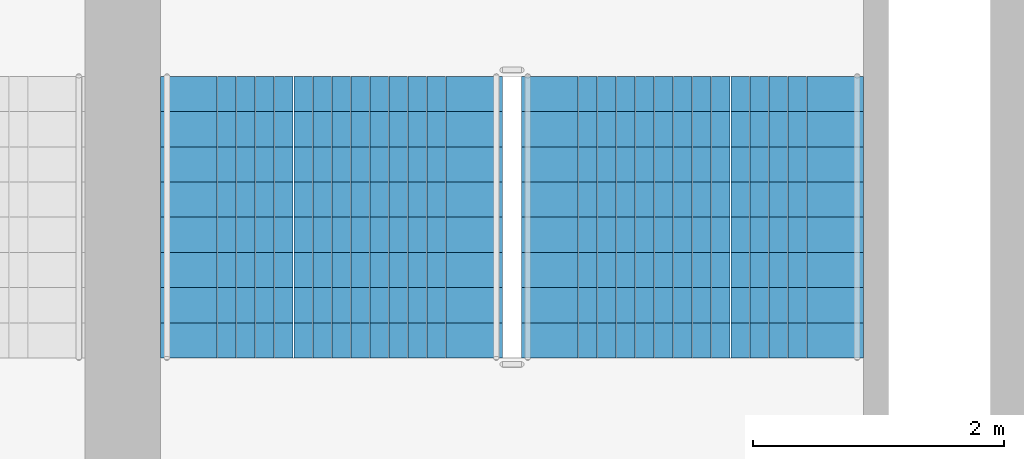
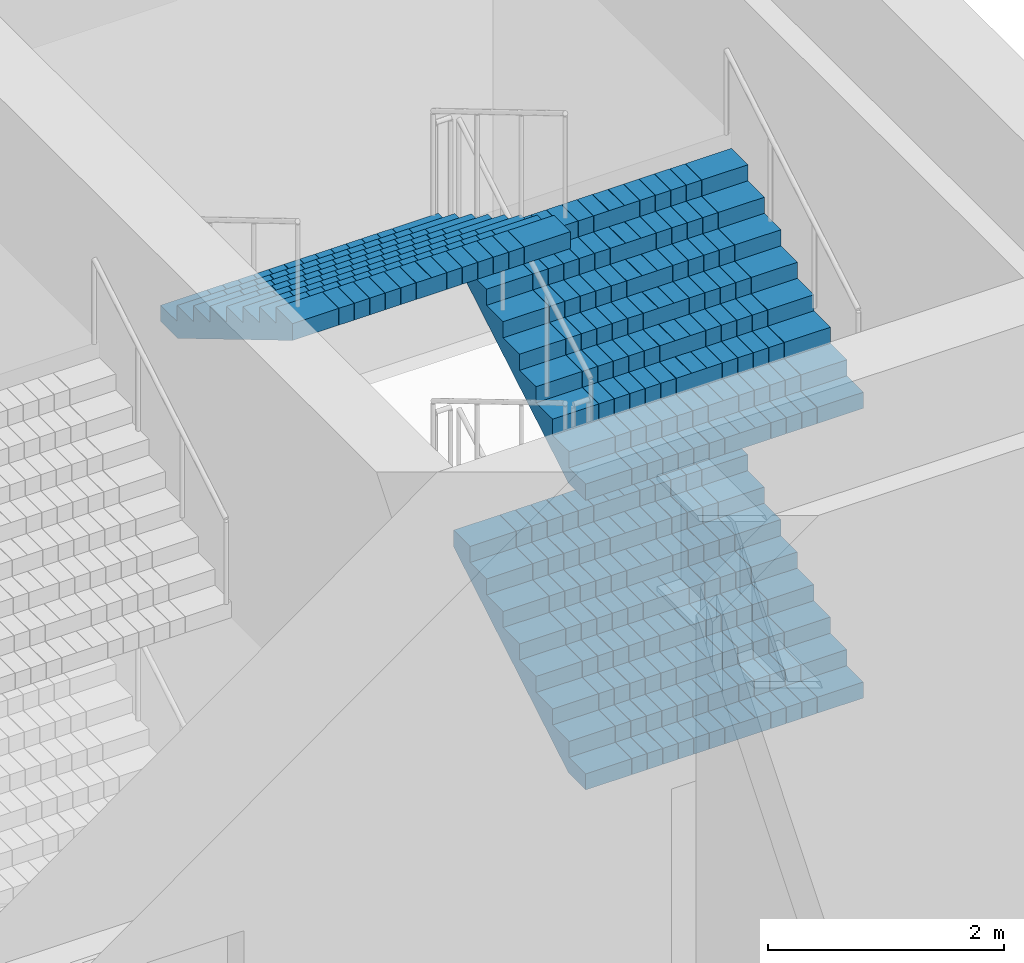
# One storey, part 36 of 43: 3 stair flights, 1 element without a shape of its own.
"""IFC4 building model written with IfcOpenShell, lengths in metres."""

from ifc_helpers import new_model, si_unit, direction, frame, origin, place, context, subcontext, project, spatial, polyline, outline, extrude, material, type_object, element, aggregate, save


model = new_model("IFC4")

# Units and contexts
model_context = context("Model", 3, precision=1e-05, world=origin(), true_north=direction((0.0, 1.0)))
body_context = subcontext(model_context, "Body", "Model", "MODEL_VIEW")
ifc_project = project(units=[si_unit("LENGTHUNIT", "METRE"), si_unit("AREAUNIT", "SQUARE_METRE"), si_unit("VOLUMEUNIT", "CUBIC_METRE"), si_unit("PLANEANGLEUNIT", "RADIAN"), si_unit("MASSUNIT", "GRAM", prefix="KILO")], contexts=[model_context])

# Site, building, storey
site_placement = place(None, origin())
site = spatial("IfcSite", under=ifc_project, at=site_placement, CompositionType="ELEMENT")
building_placement = place(site_placement, origin())
building = spatial("IfcBuilding", under=site, at=building_placement, Name="Corbelhall Arena Tower", CompositionType="ELEMENT")
storey_placement = place(building_placement, frame((0.0, 0.0, 25.0)))
storey = spatial("IfcBuildingStorey", under=building, at=storey_placement, Name="L03", CompositionType="ELEMENT", Elevation=25.0)

# Stair, stair flights
ifc_material = material(Name="Reinforced concrete C40/50", Category="concrete")
stair_type = type_object("IfcStairType", Name="AR-EXIT-STAIR", PredefinedType="HALF_TURN_STAIR", material=ifc_material)
stair_placement = place(storey_placement, origin())
stair = element("IfcStair", 1, at=stair_placement, inside=storey, type_object=stair_type, Name="L03 exit stair AS2", PredefinedType="HALF_TURN_STAIR")
stair_flight_type = type_object("IfcStairFlightType", Name="AR-EXIT-FLIGHT", PredefinedType="STRAIGHT", material=ifc_material)
stair_flight_1_placement = place(storey_placement, frame((45.030029296875, 27.320068359375, 0.0), z_axis=(0.0, 0.0, 1.0), x_axis=(0.0, 1.0, 0.0)))
stair_flight_1 = element("IfcStairFlight", 2, at=stair_flight_1_placement, type_object=stair_flight_type, Name="AS2 flight 1", NumberOfRisers=9, NumberOfTreads=8, PredefinedType="STRAIGHT", RiserHeight=0.166666667, TreadLength=0.28, context=body_context, shape_type="SweptSolid", body=[
    extrude(outline(polyline([(0.0, 0.0), (0.0, 0.166748046875), (0.280029296875, 0.166748046875), (0.280029296875, 0.333251953125), (0.56005859375, 0.333251953125), (0.56005859375, 0.5), (0.840087890625, 0.5), (0.840087890625, 0.666748046875), (1.1201171875, 0.666748046875), (1.1201171875, 0.833251953125), (1.39990234375, 0.833251953125), (1.39990234375, 1.0), (1.679931640625, 1.0), (1.679931640625, 1.166748046875), (1.9599609375, 1.166748046875), (1.9599609375, 1.333251953125), (2.239990234375, 1.333251953125), (2.239990234375, 1.5), (2.239990234375, 1.158935546875), (0.29296875, 0.0), (0.0, 0.0)])), frame((0.0, 1.35986328125, 0.0), z_axis=(0.0, -1.0, 0.0), x_axis=(1.0, 0.0, 0.0)), (0.0, 0.0, 1.0), 0.449951171875),
    extrude(outline(polyline([(0.0, 0.0), (0.0, 0.166748046875), (0.280029296875, 0.166748046875), (0.280029296875, 0.333251953125), (0.56005859375, 0.333251953125), (0.56005859375, 0.5), (0.840087890625, 0.5), (0.840087890625, 0.666748046875), (1.1201171875, 0.666748046875), (1.1201171875, 0.833251953125), (1.39990234375, 0.833251953125), (1.39990234375, 1.0), (1.679931640625, 1.0), (1.679931640625, 1.166748046875), (1.9599609375, 1.166748046875), (1.9599609375, 1.333251953125), (2.239990234375, 1.333251953125), (2.239990234375, 1.5), (2.239990234375, 1.158935546875), (0.29296875, 0.0), (0.0, 0.0)])), frame((0.0, 0.906005859375, 0.0), z_axis=(0.0, -1.0, 0.0), x_axis=(1.0, 0.0, 0.0)), (0.0, 0.0, 1.0), 0.147216796875),
    extrude(outline(polyline([(0.0, 0.0), (0.0, 0.166748046875), (0.280029296875, 0.166748046875), (0.280029296875, 0.333251953125), (0.56005859375, 0.333251953125), (0.56005859375, 0.5), (0.840087890625, 0.5), (0.840087890625, 0.666748046875), (1.1201171875, 0.666748046875), (1.1201171875, 0.833251953125), (1.39990234375, 0.833251953125), (1.39990234375, 1.0), (1.679931640625, 1.0), (1.679931640625, 1.166748046875), (1.9599609375, 1.166748046875), (1.9599609375, 1.333251953125), (2.239990234375, 1.333251953125), (2.239990234375, 1.5), (2.239990234375, 1.158935546875), (0.29296875, 0.0), (0.0, 0.0)])), frame((0.0, 0.754638671875, 0.0), z_axis=(0.0, -1.0, 0.0), x_axis=(1.0, 0.0, 0.0)), (0.0, 0.0, 1.0), 0.147216796875),
    extrude(outline(polyline([(0.0, 0.0), (0.0, 0.166748046875), (0.280029296875, 0.166748046875), (0.280029296875, 0.333251953125), (0.56005859375, 0.333251953125), (0.56005859375, 0.5), (0.840087890625, 0.5), (0.840087890625, 0.666748046875), (1.1201171875, 0.666748046875), (1.1201171875, 0.833251953125), (1.39990234375, 0.833251953125), (1.39990234375, 1.0), (1.679931640625, 1.0), (1.679931640625, 1.166748046875), (1.9599609375, 1.166748046875), (1.9599609375, 1.333251953125), (2.239990234375, 1.333251953125), (2.239990234375, 1.5), (2.239990234375, 1.158935546875), (0.29296875, 0.0), (0.0, 0.0)])), frame((0.0, 0.603271484375, 0.0), z_axis=(0.0, -1.0, 0.0), x_axis=(1.0, 0.0, 0.0)), (0.0, 0.0, 1.0), 0.147216796875),
    extrude(outline(polyline([(0.0, 0.0), (0.0, 0.166748046875), (0.280029296875, 0.166748046875), (0.280029296875, 0.333251953125), (0.56005859375, 0.333251953125), (0.56005859375, 0.5), (0.840087890625, 0.5), (0.840087890625, 0.666748046875), (1.1201171875, 0.666748046875), (1.1201171875, 0.833251953125), (1.39990234375, 0.833251953125), (1.39990234375, 1.0), (1.679931640625, 1.0), (1.679931640625, 1.166748046875), (1.9599609375, 1.166748046875), (1.9599609375, 1.333251953125), (2.239990234375, 1.333251953125), (2.239990234375, 1.5), (2.239990234375, 1.158935546875), (0.29296875, 0.0), (0.0, 0.0)])), frame((0.0, 0.451904296875, 0.0), z_axis=(0.0, -1.0, 0.0), x_axis=(1.0, 0.0, 0.0)), (0.0, 0.0, 1.0), 0.147216796875),
    extrude(outline(polyline([(0.0, 0.0), (0.0, 0.166748046875), (0.280029296875, 0.166748046875), (0.280029296875, 0.333251953125), (0.56005859375, 0.333251953125), (0.56005859375, 0.5), (0.840087890625, 0.5), (0.840087890625, 0.666748046875), (1.1201171875, 0.666748046875), (1.1201171875, 0.833251953125), (1.39990234375, 0.833251953125), (1.39990234375, 1.0), (1.679931640625, 1.0), (1.679931640625, 1.166748046875), (1.9599609375, 1.166748046875), (1.9599609375, 1.333251953125), (2.239990234375, 1.333251953125), (2.239990234375, 1.5), (2.239990234375, 1.158935546875), (0.29296875, 0.0), (0.0, 0.0)])), frame((0.0, 0.30078125, 0.0), z_axis=(0.0, -1.0, 0.0), x_axis=(1.0, 0.0, 0.0)), (0.0, 0.0, 1.0), 0.147216796875),
    extrude(outline(polyline([(0.0, 0.0), (0.0, 0.166748046875), (0.280029296875, 0.166748046875), (0.280029296875, 0.333251953125), (0.56005859375, 0.333251953125), (0.56005859375, 0.5), (0.840087890625, 0.5), (0.840087890625, 0.666748046875), (1.1201171875, 0.666748046875), (1.1201171875, 0.833251953125), (1.39990234375, 0.833251953125), (1.39990234375, 1.0), (1.679931640625, 1.0), (1.679931640625, 1.166748046875), (1.9599609375, 1.166748046875), (1.9599609375, 1.333251953125), (2.239990234375, 1.333251953125), (2.239990234375, 1.5), (2.239990234375, 1.158935546875), (0.29296875, 0.0), (0.0, 0.0)])), frame((0.0, 0.1494140625, 0.0), z_axis=(0.0, -1.0, 0.0), x_axis=(1.0, 0.0, 0.0)), (0.0, 0.0, 1.0), 0.147216796875),
    extrude(outline(polyline([(0.0, 0.0), (0.0, 0.166748046875), (0.280029296875, 0.166748046875), (0.280029296875, 0.333251953125), (0.56005859375, 0.333251953125), (0.56005859375, 0.5), (0.840087890625, 0.5), (0.840087890625, 0.666748046875), (1.1201171875, 0.666748046875), (1.1201171875, 0.833251953125), (1.39990234375, 0.833251953125), (1.39990234375, 1.0), (1.679931640625, 1.0), (1.679931640625, 1.166748046875), (1.9599609375, 1.166748046875), (1.9599609375, 1.333251953125), (2.239990234375, 1.333251953125), (2.239990234375, 1.5), (2.239990234375, 1.158935546875), (0.29296875, 0.0), (0.0, 0.0)])), frame((0.0, -0.001953125, 0.0), z_axis=(0.0, -1.0, 0.0), x_axis=(1.0, 0.0, 0.0)), (0.0, 0.0, 1.0), 0.147216796875),
    extrude(outline(polyline([(0.0, 0.0), (0.0, 0.166748046875), (0.280029296875, 0.166748046875), (0.280029296875, 0.333251953125), (0.56005859375, 0.333251953125), (0.56005859375, 0.5), (0.840087890625, 0.5), (0.840087890625, 0.666748046875), (1.1201171875, 0.666748046875), (1.1201171875, 0.833251953125), (1.39990234375, 0.833251953125), (1.39990234375, 1.0), (1.679931640625, 1.0), (1.679931640625, 1.166748046875), (1.9599609375, 1.166748046875), (1.9599609375, 1.333251953125), (2.239990234375, 1.333251953125), (2.239990234375, 1.5), (2.239990234375, 1.158935546875), (0.29296875, 0.0), (0.0, 0.0)])), frame((0.0, -0.1533203125, 0.0), z_axis=(0.0, -1.0, 0.0), x_axis=(1.0, 0.0, 0.0)), (0.0, 0.0, 1.0), 0.147216796875),
    extrude(outline(polyline([(0.0, 0.0), (0.0, 0.166748046875), (0.280029296875, 0.166748046875), (0.280029296875, 0.333251953125), (0.56005859375, 0.333251953125), (0.56005859375, 0.5), (0.840087890625, 0.5), (0.840087890625, 0.666748046875), (1.1201171875, 0.666748046875), (1.1201171875, 0.833251953125), (1.39990234375, 0.833251953125), (1.39990234375, 1.0), (1.679931640625, 1.0), (1.679931640625, 1.166748046875), (1.9599609375, 1.166748046875), (1.9599609375, 1.333251953125), (2.239990234375, 1.333251953125), (2.239990234375, 1.5), (2.239990234375, 1.158935546875), (0.29296875, 0.0), (0.0, 0.0)])), frame((0.0, -0.3046875, 0.0), z_axis=(0.0, -1.0, 0.0), x_axis=(1.0, 0.0, 0.0)), (0.0, 0.0, 1.0), 0.147216796875),
    extrude(outline(polyline([(0.0, 0.0), (0.0, 0.166748046875), (0.280029296875, 0.166748046875), (0.280029296875, 0.333251953125), (0.56005859375, 0.333251953125), (0.56005859375, 0.5), (0.840087890625, 0.5), (0.840087890625, 0.666748046875), (1.1201171875, 0.666748046875), (1.1201171875, 0.833251953125), (1.39990234375, 0.833251953125), (1.39990234375, 1.0), (1.679931640625, 1.0), (1.679931640625, 1.166748046875), (1.9599609375, 1.166748046875), (1.9599609375, 1.333251953125), (2.239990234375, 1.333251953125), (2.239990234375, 1.5), (2.239990234375, 1.158935546875), (0.29296875, 0.0), (0.0, 0.0)])), frame((0.0, -0.4560546875, 0.0), z_axis=(0.0, -1.0, 0.0), x_axis=(1.0, 0.0, 0.0)), (0.0, 0.0, 1.0), 0.147216796875),
    extrude(outline(polyline([(0.0, 0.0), (0.0, 0.166748046875), (0.280029296875, 0.166748046875), (0.280029296875, 0.333251953125), (0.56005859375, 0.333251953125), (0.56005859375, 0.5), (0.840087890625, 0.5), (0.840087890625, 0.666748046875), (1.1201171875, 0.666748046875), (1.1201171875, 0.833251953125), (1.39990234375, 0.833251953125), (1.39990234375, 1.0), (1.679931640625, 1.0), (1.679931640625, 1.166748046875), (1.9599609375, 1.166748046875), (1.9599609375, 1.333251953125), (2.239990234375, 1.333251953125), (2.239990234375, 1.5), (2.239990234375, 1.158935546875), (0.29296875, 0.0), (0.0, 0.0)])), frame((0.0, -0.607421875, 0.0), z_axis=(0.0, -1.0, 0.0), x_axis=(1.0, 0.0, 0.0)), (0.0, 0.0, 1.0), 0.147216796875),
    extrude(outline(polyline([(0.0, 0.0), (0.0, 0.166748046875), (0.280029296875, 0.166748046875), (0.280029296875, 0.333251953125), (0.56005859375, 0.333251953125), (0.56005859375, 0.5), (0.840087890625, 0.5), (0.840087890625, 0.666748046875), (1.1201171875, 0.666748046875), (1.1201171875, 0.833251953125), (1.39990234375, 0.833251953125), (1.39990234375, 1.0), (1.679931640625, 1.0), (1.679931640625, 1.166748046875), (1.9599609375, 1.166748046875), (1.9599609375, 1.333251953125), (2.239990234375, 1.333251953125), (2.239990234375, 1.5), (2.239990234375, 1.158935546875), (0.29296875, 0.0), (0.0, 0.0)])), frame((0.0, -0.758544921875, 0.0), z_axis=(0.0, -1.0, 0.0), x_axis=(1.0, 0.0, 0.0)), (0.0, 0.0, 1.0), 0.147216796875),
    extrude(outline(polyline([(0.0, 0.0), (0.0, 0.166748046875), (0.280029296875, 0.166748046875), (0.280029296875, 0.333251953125), (0.56005859375, 0.333251953125), (0.56005859375, 0.5), (0.840087890625, 0.5), (0.840087890625, 0.666748046875), (1.1201171875, 0.666748046875), (1.1201171875, 0.833251953125), (1.39990234375, 0.833251953125), (1.39990234375, 1.0), (1.679931640625, 1.0), (1.679931640625, 1.166748046875), (1.9599609375, 1.166748046875), (1.9599609375, 1.333251953125), (2.239990234375, 1.333251953125), (2.239990234375, 1.5), (2.239990234375, 1.158935546875), (0.29296875, 0.0), (0.0, 0.0)])), frame((0.0, -0.909912109375, 0.0), z_axis=(0.0, -1.0, 0.0), x_axis=(1.0, 0.0, 0.0)), (0.0, 0.0, 1.0), 0.449951171875),
])
stair_flight_2_placement = place(storey_placement, frame((45.030029296875, 27.320068359375, 3.0), z_axis=(0.0, 0.0, 1.0), x_axis=(0.0, 1.0, 0.0)))
stair_flight_2 = element("IfcStairFlight", 3, at=stair_flight_2_placement, type_object=stair_flight_type, Name="AS2 flight 3", NumberOfRisers=9, NumberOfTreads=8, PredefinedType="STRAIGHT", RiserHeight=0.166666667, TreadLength=0.28, context=body_context, shape_type="SweptSolid", body=[
    extrude(outline(polyline([(0.0, 0.0), (0.0, 0.166748046875), (0.280029296875, 0.166748046875), (0.280029296875, 0.333251953125), (0.56005859375, 0.333251953125), (0.56005859375, 0.5), (0.840087890625, 0.5), (0.840087890625, 0.666748046875), (1.1201171875, 0.666748046875), (1.1201171875, 0.833251953125), (1.39990234375, 0.833251953125), (1.39990234375, 1.0), (1.679931640625, 1.0), (1.679931640625, 1.166748046875), (1.9599609375, 1.166748046875), (1.9599609375, 1.333251953125), (2.239990234375, 1.333251953125), (2.239990234375, 1.5), (2.239990234375, 1.158935546875), (0.29296875, 0.0), (0.0, 0.0)])), frame((0.0, 1.35986328125, 0.0), z_axis=(0.0, -1.0, 0.0), x_axis=(1.0, 0.0, 0.0)), (0.0, 0.0, 1.0), 0.449951171875),
    extrude(outline(polyline([(0.0, 0.0), (0.0, 0.166748046875), (0.280029296875, 0.166748046875), (0.280029296875, 0.333251953125), (0.56005859375, 0.333251953125), (0.56005859375, 0.5), (0.840087890625, 0.5), (0.840087890625, 0.666748046875), (1.1201171875, 0.666748046875), (1.1201171875, 0.833251953125), (1.39990234375, 0.833251953125), (1.39990234375, 1.0), (1.679931640625, 1.0), (1.679931640625, 1.166748046875), (1.9599609375, 1.166748046875), (1.9599609375, 1.333251953125), (2.239990234375, 1.333251953125), (2.239990234375, 1.5), (2.239990234375, 1.158935546875), (0.29296875, 0.0), (0.0, 0.0)])), frame((0.0, 0.906005859375, 0.0), z_axis=(0.0, -1.0, 0.0), x_axis=(1.0, 0.0, 0.0)), (0.0, 0.0, 1.0), 0.147216796875),
    extrude(outline(polyline([(0.0, 0.0), (0.0, 0.166748046875), (0.280029296875, 0.166748046875), (0.280029296875, 0.333251953125), (0.56005859375, 0.333251953125), (0.56005859375, 0.5), (0.840087890625, 0.5), (0.840087890625, 0.666748046875), (1.1201171875, 0.666748046875), (1.1201171875, 0.833251953125), (1.39990234375, 0.833251953125), (1.39990234375, 1.0), (1.679931640625, 1.0), (1.679931640625, 1.166748046875), (1.9599609375, 1.166748046875), (1.9599609375, 1.333251953125), (2.239990234375, 1.333251953125), (2.239990234375, 1.5), (2.239990234375, 1.158935546875), (0.29296875, 0.0), (0.0, 0.0)])), frame((0.0, 0.754638671875, 0.0), z_axis=(0.0, -1.0, 0.0), x_axis=(1.0, 0.0, 0.0)), (0.0, 0.0, 1.0), 0.147216796875),
    extrude(outline(polyline([(0.0, 0.0), (0.0, 0.166748046875), (0.280029296875, 0.166748046875), (0.280029296875, 0.333251953125), (0.56005859375, 0.333251953125), (0.56005859375, 0.5), (0.840087890625, 0.5), (0.840087890625, 0.666748046875), (1.1201171875, 0.666748046875), (1.1201171875, 0.833251953125), (1.39990234375, 0.833251953125), (1.39990234375, 1.0), (1.679931640625, 1.0), (1.679931640625, 1.166748046875), (1.9599609375, 1.166748046875), (1.9599609375, 1.333251953125), (2.239990234375, 1.333251953125), (2.239990234375, 1.5), (2.239990234375, 1.158935546875), (0.29296875, 0.0), (0.0, 0.0)])), frame((0.0, 0.603271484375, 0.0), z_axis=(0.0, -1.0, 0.0), x_axis=(1.0, 0.0, 0.0)), (0.0, 0.0, 1.0), 0.147216796875),
    extrude(outline(polyline([(0.0, 0.0), (0.0, 0.166748046875), (0.280029296875, 0.166748046875), (0.280029296875, 0.333251953125), (0.56005859375, 0.333251953125), (0.56005859375, 0.5), (0.840087890625, 0.5), (0.840087890625, 0.666748046875), (1.1201171875, 0.666748046875), (1.1201171875, 0.833251953125), (1.39990234375, 0.833251953125), (1.39990234375, 1.0), (1.679931640625, 1.0), (1.679931640625, 1.166748046875), (1.9599609375, 1.166748046875), (1.9599609375, 1.333251953125), (2.239990234375, 1.333251953125), (2.239990234375, 1.5), (2.239990234375, 1.158935546875), (0.29296875, 0.0), (0.0, 0.0)])), frame((0.0, 0.451904296875, 0.0), z_axis=(0.0, -1.0, 0.0), x_axis=(1.0, 0.0, 0.0)), (0.0, 0.0, 1.0), 0.147216796875),
    extrude(outline(polyline([(0.0, 0.0), (0.0, 0.166748046875), (0.280029296875, 0.166748046875), (0.280029296875, 0.333251953125), (0.56005859375, 0.333251953125), (0.56005859375, 0.5), (0.840087890625, 0.5), (0.840087890625, 0.666748046875), (1.1201171875, 0.666748046875), (1.1201171875, 0.833251953125), (1.39990234375, 0.833251953125), (1.39990234375, 1.0), (1.679931640625, 1.0), (1.679931640625, 1.166748046875), (1.9599609375, 1.166748046875), (1.9599609375, 1.333251953125), (2.239990234375, 1.333251953125), (2.239990234375, 1.5), (2.239990234375, 1.158935546875), (0.29296875, 0.0), (0.0, 0.0)])), frame((0.0, 0.30078125, 0.0), z_axis=(0.0, -1.0, 0.0), x_axis=(1.0, 0.0, 0.0)), (0.0, 0.0, 1.0), 0.147216796875),
    extrude(outline(polyline([(0.0, 0.0), (0.0, 0.166748046875), (0.280029296875, 0.166748046875), (0.280029296875, 0.333251953125), (0.56005859375, 0.333251953125), (0.56005859375, 0.5), (0.840087890625, 0.5), (0.840087890625, 0.666748046875), (1.1201171875, 0.666748046875), (1.1201171875, 0.833251953125), (1.39990234375, 0.833251953125), (1.39990234375, 1.0), (1.679931640625, 1.0), (1.679931640625, 1.166748046875), (1.9599609375, 1.166748046875), (1.9599609375, 1.333251953125), (2.239990234375, 1.333251953125), (2.239990234375, 1.5), (2.239990234375, 1.158935546875), (0.29296875, 0.0), (0.0, 0.0)])), frame((0.0, 0.1494140625, 0.0), z_axis=(0.0, -1.0, 0.0), x_axis=(1.0, 0.0, 0.0)), (0.0, 0.0, 1.0), 0.147216796875),
    extrude(outline(polyline([(0.0, 0.0), (0.0, 0.166748046875), (0.280029296875, 0.166748046875), (0.280029296875, 0.333251953125), (0.56005859375, 0.333251953125), (0.56005859375, 0.5), (0.840087890625, 0.5), (0.840087890625, 0.666748046875), (1.1201171875, 0.666748046875), (1.1201171875, 0.833251953125), (1.39990234375, 0.833251953125), (1.39990234375, 1.0), (1.679931640625, 1.0), (1.679931640625, 1.166748046875), (1.9599609375, 1.166748046875), (1.9599609375, 1.333251953125), (2.239990234375, 1.333251953125), (2.239990234375, 1.5), (2.239990234375, 1.158935546875), (0.29296875, 0.0), (0.0, 0.0)])), frame((0.0, -0.001953125, 0.0), z_axis=(0.0, -1.0, 0.0), x_axis=(1.0, 0.0, 0.0)), (0.0, 0.0, 1.0), 0.147216796875),
    extrude(outline(polyline([(0.0, 0.0), (0.0, 0.166748046875), (0.280029296875, 0.166748046875), (0.280029296875, 0.333251953125), (0.56005859375, 0.333251953125), (0.56005859375, 0.5), (0.840087890625, 0.5), (0.840087890625, 0.666748046875), (1.1201171875, 0.666748046875), (1.1201171875, 0.833251953125), (1.39990234375, 0.833251953125), (1.39990234375, 1.0), (1.679931640625, 1.0), (1.679931640625, 1.166748046875), (1.9599609375, 1.166748046875), (1.9599609375, 1.333251953125), (2.239990234375, 1.333251953125), (2.239990234375, 1.5), (2.239990234375, 1.158935546875), (0.29296875, 0.0), (0.0, 0.0)])), frame((0.0, -0.1533203125, 0.0), z_axis=(0.0, -1.0, 0.0), x_axis=(1.0, 0.0, 0.0)), (0.0, 0.0, 1.0), 0.147216796875),
    extrude(outline(polyline([(0.0, 0.0), (0.0, 0.166748046875), (0.280029296875, 0.166748046875), (0.280029296875, 0.333251953125), (0.56005859375, 0.333251953125), (0.56005859375, 0.5), (0.840087890625, 0.5), (0.840087890625, 0.666748046875), (1.1201171875, 0.666748046875), (1.1201171875, 0.833251953125), (1.39990234375, 0.833251953125), (1.39990234375, 1.0), (1.679931640625, 1.0), (1.679931640625, 1.166748046875), (1.9599609375, 1.166748046875), (1.9599609375, 1.333251953125), (2.239990234375, 1.333251953125), (2.239990234375, 1.5), (2.239990234375, 1.158935546875), (0.29296875, 0.0), (0.0, 0.0)])), frame((0.0, -0.3046875, 0.0), z_axis=(0.0, -1.0, 0.0), x_axis=(1.0, 0.0, 0.0)), (0.0, 0.0, 1.0), 0.147216796875),
    extrude(outline(polyline([(0.0, 0.0), (0.0, 0.166748046875), (0.280029296875, 0.166748046875), (0.280029296875, 0.333251953125), (0.56005859375, 0.333251953125), (0.56005859375, 0.5), (0.840087890625, 0.5), (0.840087890625, 0.666748046875), (1.1201171875, 0.666748046875), (1.1201171875, 0.833251953125), (1.39990234375, 0.833251953125), (1.39990234375, 1.0), (1.679931640625, 1.0), (1.679931640625, 1.166748046875), (1.9599609375, 1.166748046875), (1.9599609375, 1.333251953125), (2.239990234375, 1.333251953125), (2.239990234375, 1.5), (2.239990234375, 1.158935546875), (0.29296875, 0.0), (0.0, 0.0)])), frame((0.0, -0.4560546875, 0.0), z_axis=(0.0, -1.0, 0.0), x_axis=(1.0, 0.0, 0.0)), (0.0, 0.0, 1.0), 0.147216796875),
    extrude(outline(polyline([(0.0, 0.0), (0.0, 0.166748046875), (0.280029296875, 0.166748046875), (0.280029296875, 0.333251953125), (0.56005859375, 0.333251953125), (0.56005859375, 0.5), (0.840087890625, 0.5), (0.840087890625, 0.666748046875), (1.1201171875, 0.666748046875), (1.1201171875, 0.833251953125), (1.39990234375, 0.833251953125), (1.39990234375, 1.0), (1.679931640625, 1.0), (1.679931640625, 1.166748046875), (1.9599609375, 1.166748046875), (1.9599609375, 1.333251953125), (2.239990234375, 1.333251953125), (2.239990234375, 1.5), (2.239990234375, 1.158935546875), (0.29296875, 0.0), (0.0, 0.0)])), frame((0.0, -0.607421875, 0.0), z_axis=(0.0, -1.0, 0.0), x_axis=(1.0, 0.0, 0.0)), (0.0, 0.0, 1.0), 0.147216796875),
    extrude(outline(polyline([(0.0, 0.0), (0.0, 0.166748046875), (0.280029296875, 0.166748046875), (0.280029296875, 0.333251953125), (0.56005859375, 0.333251953125), (0.56005859375, 0.5), (0.840087890625, 0.5), (0.840087890625, 0.666748046875), (1.1201171875, 0.666748046875), (1.1201171875, 0.833251953125), (1.39990234375, 0.833251953125), (1.39990234375, 1.0), (1.679931640625, 1.0), (1.679931640625, 1.166748046875), (1.9599609375, 1.166748046875), (1.9599609375, 1.333251953125), (2.239990234375, 1.333251953125), (2.239990234375, 1.5), (2.239990234375, 1.158935546875), (0.29296875, 0.0), (0.0, 0.0)])), frame((0.0, -0.758544921875, 0.0), z_axis=(0.0, -1.0, 0.0), x_axis=(1.0, 0.0, 0.0)), (0.0, 0.0, 1.0), 0.147216796875),
    extrude(outline(polyline([(0.0, 0.0), (0.0, 0.166748046875), (0.280029296875, 0.166748046875), (0.280029296875, 0.333251953125), (0.56005859375, 0.333251953125), (0.56005859375, 0.5), (0.840087890625, 0.5), (0.840087890625, 0.666748046875), (1.1201171875, 0.666748046875), (1.1201171875, 0.833251953125), (1.39990234375, 0.833251953125), (1.39990234375, 1.0), (1.679931640625, 1.0), (1.679931640625, 1.166748046875), (1.9599609375, 1.166748046875), (1.9599609375, 1.333251953125), (2.239990234375, 1.333251953125), (2.239990234375, 1.5), (2.239990234375, 1.158935546875), (0.29296875, 0.0), (0.0, 0.0)])), frame((0.0, -0.909912109375, 0.0), z_axis=(0.0, -1.0, 0.0), x_axis=(1.0, 0.0, 0.0)), (0.0, 0.0, 1.0), 0.449951171875),
])
stair_flight_3_placement = place(storey_placement, frame((42.159912109375, 29.56005859375, 4.5), z_axis=(0.0, 0.0, 1.0), x_axis=(0.0, -1.0, 0.0)))
stair_flight_3 = element("IfcStairFlight", 4, at=stair_flight_3_placement, type_object=stair_flight_type, Name="AS2 flight 4", NumberOfRisers=9, NumberOfTreads=8, PredefinedType="STRAIGHT", RiserHeight=0.166666667, TreadLength=0.28, context=body_context, shape_type="SweptSolid", body=[
    extrude(outline(polyline([(0.0, 0.0), (0.0, 0.166748046875), (0.280029296875, 0.166748046875), (0.280029296875, 0.333251953125), (0.56005859375, 0.333251953125), (0.56005859375, 0.5), (0.840087890625, 0.5), (0.840087890625, 0.666748046875), (1.1201171875, 0.666748046875), (1.1201171875, 0.833251953125), (1.39990234375, 0.833251953125), (1.39990234375, 1.0), (1.679931640625, 1.0), (1.679931640625, 1.166748046875), (1.9599609375, 1.166748046875), (1.9599609375, 1.333251953125), (2.239990234375, 1.333251953125), (2.239990234375, 1.5), (2.239990234375, 1.158935546875), (0.29296875, 0.0), (0.0, 0.0)])), frame((0.0, 1.35986328125, 0.0), z_axis=(0.0, -1.0, 0.0), x_axis=(1.0, 0.0, 0.0)), (0.0, 0.0, 1.0), 0.449951171875),
    extrude(outline(polyline([(0.0, 0.0), (0.0, 0.166748046875), (0.280029296875, 0.166748046875), (0.280029296875, 0.333251953125), (0.56005859375, 0.333251953125), (0.56005859375, 0.5), (0.840087890625, 0.5), (0.840087890625, 0.666748046875), (1.1201171875, 0.666748046875), (1.1201171875, 0.833251953125), (1.39990234375, 0.833251953125), (1.39990234375, 1.0), (1.679931640625, 1.0), (1.679931640625, 1.166748046875), (1.9599609375, 1.166748046875), (1.9599609375, 1.333251953125), (2.239990234375, 1.333251953125), (2.239990234375, 1.5), (2.239990234375, 1.158935546875), (0.29296875, 0.0), (0.0, 0.0)])), frame((0.0, 0.906005859375, 0.0), z_axis=(0.0, -1.0, 0.0), x_axis=(1.0, 0.0, 0.0)), (0.0, 0.0, 1.0), 0.147216796875),
    extrude(outline(polyline([(0.0, 0.0), (0.0, 0.166748046875), (0.280029296875, 0.166748046875), (0.280029296875, 0.333251953125), (0.56005859375, 0.333251953125), (0.56005859375, 0.5), (0.840087890625, 0.5), (0.840087890625, 0.666748046875), (1.1201171875, 0.666748046875), (1.1201171875, 0.833251953125), (1.39990234375, 0.833251953125), (1.39990234375, 1.0), (1.679931640625, 1.0), (1.679931640625, 1.166748046875), (1.9599609375, 1.166748046875), (1.9599609375, 1.333251953125), (2.239990234375, 1.333251953125), (2.239990234375, 1.5), (2.239990234375, 1.158935546875), (0.29296875, 0.0), (0.0, 0.0)])), frame((0.0, 0.754638671875, 0.0), z_axis=(0.0, -1.0, 0.0), x_axis=(1.0, 0.0, 0.0)), (0.0, 0.0, 1.0), 0.147216796875),
    extrude(outline(polyline([(0.0, 0.0), (0.0, 0.166748046875), (0.280029296875, 0.166748046875), (0.280029296875, 0.333251953125), (0.56005859375, 0.333251953125), (0.56005859375, 0.5), (0.840087890625, 0.5), (0.840087890625, 0.666748046875), (1.1201171875, 0.666748046875), (1.1201171875, 0.833251953125), (1.39990234375, 0.833251953125), (1.39990234375, 1.0), (1.679931640625, 1.0), (1.679931640625, 1.166748046875), (1.9599609375, 1.166748046875), (1.9599609375, 1.333251953125), (2.239990234375, 1.333251953125), (2.239990234375, 1.5), (2.239990234375, 1.158935546875), (0.29296875, 0.0), (0.0, 0.0)])), frame((0.0, 0.603271484375, 0.0), z_axis=(0.0, -1.0, 0.0), x_axis=(1.0, 0.0, 0.0)), (0.0, 0.0, 1.0), 0.147216796875),
    extrude(outline(polyline([(0.0, 0.0), (0.0, 0.166748046875), (0.280029296875, 0.166748046875), (0.280029296875, 0.333251953125), (0.56005859375, 0.333251953125), (0.56005859375, 0.5), (0.840087890625, 0.5), (0.840087890625, 0.666748046875), (1.1201171875, 0.666748046875), (1.1201171875, 0.833251953125), (1.39990234375, 0.833251953125), (1.39990234375, 1.0), (1.679931640625, 1.0), (1.679931640625, 1.166748046875), (1.9599609375, 1.166748046875), (1.9599609375, 1.333251953125), (2.239990234375, 1.333251953125), (2.239990234375, 1.5), (2.239990234375, 1.158935546875), (0.29296875, 0.0), (0.0, 0.0)])), frame((0.0, 0.451904296875, 0.0), z_axis=(0.0, -1.0, 0.0), x_axis=(1.0, 0.0, 0.0)), (0.0, 0.0, 1.0), 0.147216796875),
    extrude(outline(polyline([(0.0, 0.0), (0.0, 0.166748046875), (0.280029296875, 0.166748046875), (0.280029296875, 0.333251953125), (0.56005859375, 0.333251953125), (0.56005859375, 0.5), (0.840087890625, 0.5), (0.840087890625, 0.666748046875), (1.1201171875, 0.666748046875), (1.1201171875, 0.833251953125), (1.39990234375, 0.833251953125), (1.39990234375, 1.0), (1.679931640625, 1.0), (1.679931640625, 1.166748046875), (1.9599609375, 1.166748046875), (1.9599609375, 1.333251953125), (2.239990234375, 1.333251953125), (2.239990234375, 1.5), (2.239990234375, 1.158935546875), (0.29296875, 0.0), (0.0, 0.0)])), frame((0.0, 0.30078125, 0.0), z_axis=(0.0, -1.0, 0.0), x_axis=(1.0, 0.0, 0.0)), (0.0, 0.0, 1.0), 0.147216796875),
    extrude(outline(polyline([(0.0, 0.0), (0.0, 0.166748046875), (0.280029296875, 0.166748046875), (0.280029296875, 0.333251953125), (0.56005859375, 0.333251953125), (0.56005859375, 0.5), (0.840087890625, 0.5), (0.840087890625, 0.666748046875), (1.1201171875, 0.666748046875), (1.1201171875, 0.833251953125), (1.39990234375, 0.833251953125), (1.39990234375, 1.0), (1.679931640625, 1.0), (1.679931640625, 1.166748046875), (1.9599609375, 1.166748046875), (1.9599609375, 1.333251953125), (2.239990234375, 1.333251953125), (2.239990234375, 1.5), (2.239990234375, 1.158935546875), (0.29296875, 0.0), (0.0, 0.0)])), frame((0.0, 0.1494140625, 0.0), z_axis=(0.0, -1.0, 0.0), x_axis=(1.0, 0.0, 0.0)), (0.0, 0.0, 1.0), 0.147216796875),
    extrude(outline(polyline([(0.0, 0.0), (0.0, 0.166748046875), (0.280029296875, 0.166748046875), (0.280029296875, 0.333251953125), (0.56005859375, 0.333251953125), (0.56005859375, 0.5), (0.840087890625, 0.5), (0.840087890625, 0.666748046875), (1.1201171875, 0.666748046875), (1.1201171875, 0.833251953125), (1.39990234375, 0.833251953125), (1.39990234375, 1.0), (1.679931640625, 1.0), (1.679931640625, 1.166748046875), (1.9599609375, 1.166748046875), (1.9599609375, 1.333251953125), (2.239990234375, 1.333251953125), (2.239990234375, 1.5), (2.239990234375, 1.158935546875), (0.29296875, 0.0), (0.0, 0.0)])), frame((0.0, -0.001953125, 0.0), z_axis=(0.0, -1.0, 0.0), x_axis=(1.0, 0.0, 0.0)), (0.0, 0.0, 1.0), 0.147216796875),
    extrude(outline(polyline([(0.0, 0.0), (0.0, 0.166748046875), (0.280029296875, 0.166748046875), (0.280029296875, 0.333251953125), (0.56005859375, 0.333251953125), (0.56005859375, 0.5), (0.840087890625, 0.5), (0.840087890625, 0.666748046875), (1.1201171875, 0.666748046875), (1.1201171875, 0.833251953125), (1.39990234375, 0.833251953125), (1.39990234375, 1.0), (1.679931640625, 1.0), (1.679931640625, 1.166748046875), (1.9599609375, 1.166748046875), (1.9599609375, 1.333251953125), (2.239990234375, 1.333251953125), (2.239990234375, 1.5), (2.239990234375, 1.158935546875), (0.29296875, 0.0), (0.0, 0.0)])), frame((0.0, -0.1533203125, 0.0), z_axis=(0.0, -1.0, 0.0), x_axis=(1.0, 0.0, 0.0)), (0.0, 0.0, 1.0), 0.147216796875),
    extrude(outline(polyline([(0.0, 0.0), (0.0, 0.166748046875), (0.280029296875, 0.166748046875), (0.280029296875, 0.333251953125), (0.56005859375, 0.333251953125), (0.56005859375, 0.5), (0.840087890625, 0.5), (0.840087890625, 0.666748046875), (1.1201171875, 0.666748046875), (1.1201171875, 0.833251953125), (1.39990234375, 0.833251953125), (1.39990234375, 1.0), (1.679931640625, 1.0), (1.679931640625, 1.166748046875), (1.9599609375, 1.166748046875), (1.9599609375, 1.333251953125), (2.239990234375, 1.333251953125), (2.239990234375, 1.5), (2.239990234375, 1.158935546875), (0.29296875, 0.0), (0.0, 0.0)])), frame((0.0, -0.3046875, 0.0), z_axis=(0.0, -1.0, 0.0), x_axis=(1.0, 0.0, 0.0)), (0.0, 0.0, 1.0), 0.147216796875),
    extrude(outline(polyline([(0.0, 0.0), (0.0, 0.166748046875), (0.280029296875, 0.166748046875), (0.280029296875, 0.333251953125), (0.56005859375, 0.333251953125), (0.56005859375, 0.5), (0.840087890625, 0.5), (0.840087890625, 0.666748046875), (1.1201171875, 0.666748046875), (1.1201171875, 0.833251953125), (1.39990234375, 0.833251953125), (1.39990234375, 1.0), (1.679931640625, 1.0), (1.679931640625, 1.166748046875), (1.9599609375, 1.166748046875), (1.9599609375, 1.333251953125), (2.239990234375, 1.333251953125), (2.239990234375, 1.5), (2.239990234375, 1.158935546875), (0.29296875, 0.0), (0.0, 0.0)])), frame((0.0, -0.4560546875, 0.0), z_axis=(0.0, -1.0, 0.0), x_axis=(1.0, 0.0, 0.0)), (0.0, 0.0, 1.0), 0.147216796875),
    extrude(outline(polyline([(0.0, 0.0), (0.0, 0.166748046875), (0.280029296875, 0.166748046875), (0.280029296875, 0.333251953125), (0.56005859375, 0.333251953125), (0.56005859375, 0.5), (0.840087890625, 0.5), (0.840087890625, 0.666748046875), (1.1201171875, 0.666748046875), (1.1201171875, 0.833251953125), (1.39990234375, 0.833251953125), (1.39990234375, 1.0), (1.679931640625, 1.0), (1.679931640625, 1.166748046875), (1.9599609375, 1.166748046875), (1.9599609375, 1.333251953125), (2.239990234375, 1.333251953125), (2.239990234375, 1.5), (2.239990234375, 1.158935546875), (0.29296875, 0.0), (0.0, 0.0)])), frame((0.0, -0.607421875, 0.0), z_axis=(0.0, -1.0, 0.0), x_axis=(1.0, 0.0, 0.0)), (0.0, 0.0, 1.0), 0.147216796875),
    extrude(outline(polyline([(0.0, 0.0), (0.0, 0.166748046875), (0.280029296875, 0.166748046875), (0.280029296875, 0.333251953125), (0.56005859375, 0.333251953125), (0.56005859375, 0.5), (0.840087890625, 0.5), (0.840087890625, 0.666748046875), (1.1201171875, 0.666748046875), (1.1201171875, 0.833251953125), (1.39990234375, 0.833251953125), (1.39990234375, 1.0), (1.679931640625, 1.0), (1.679931640625, 1.166748046875), (1.9599609375, 1.166748046875), (1.9599609375, 1.333251953125), (2.239990234375, 1.333251953125), (2.239990234375, 1.5), (2.239990234375, 1.158935546875), (0.29296875, 0.0), (0.0, 0.0)])), frame((0.0, -0.758544921875, 0.0), z_axis=(0.0, -1.0, 0.0), x_axis=(1.0, 0.0, 0.0)), (0.0, 0.0, 1.0), 0.147216796875),
    extrude(outline(polyline([(0.0, 0.0), (0.0, 0.166748046875), (0.280029296875, 0.166748046875), (0.280029296875, 0.333251953125), (0.56005859375, 0.333251953125), (0.56005859375, 0.5), (0.840087890625, 0.5), (0.840087890625, 0.666748046875), (1.1201171875, 0.666748046875), (1.1201171875, 0.833251953125), (1.39990234375, 0.833251953125), (1.39990234375, 1.0), (1.679931640625, 1.0), (1.679931640625, 1.166748046875), (1.9599609375, 1.166748046875), (1.9599609375, 1.333251953125), (2.239990234375, 1.333251953125), (2.239990234375, 1.5), (2.239990234375, 1.158935546875), (0.29296875, 0.0), (0.0, 0.0)])), frame((0.0, -0.909912109375, 0.0), z_axis=(0.0, -1.0, 0.0), x_axis=(1.0, 0.0, 0.0)), (0.0, 0.0, 1.0), 0.449951171875),
])
aggregate(stair, [stair_flight_1, stair_flight_2, stair_flight_3])

save(model, "model.ifc")
